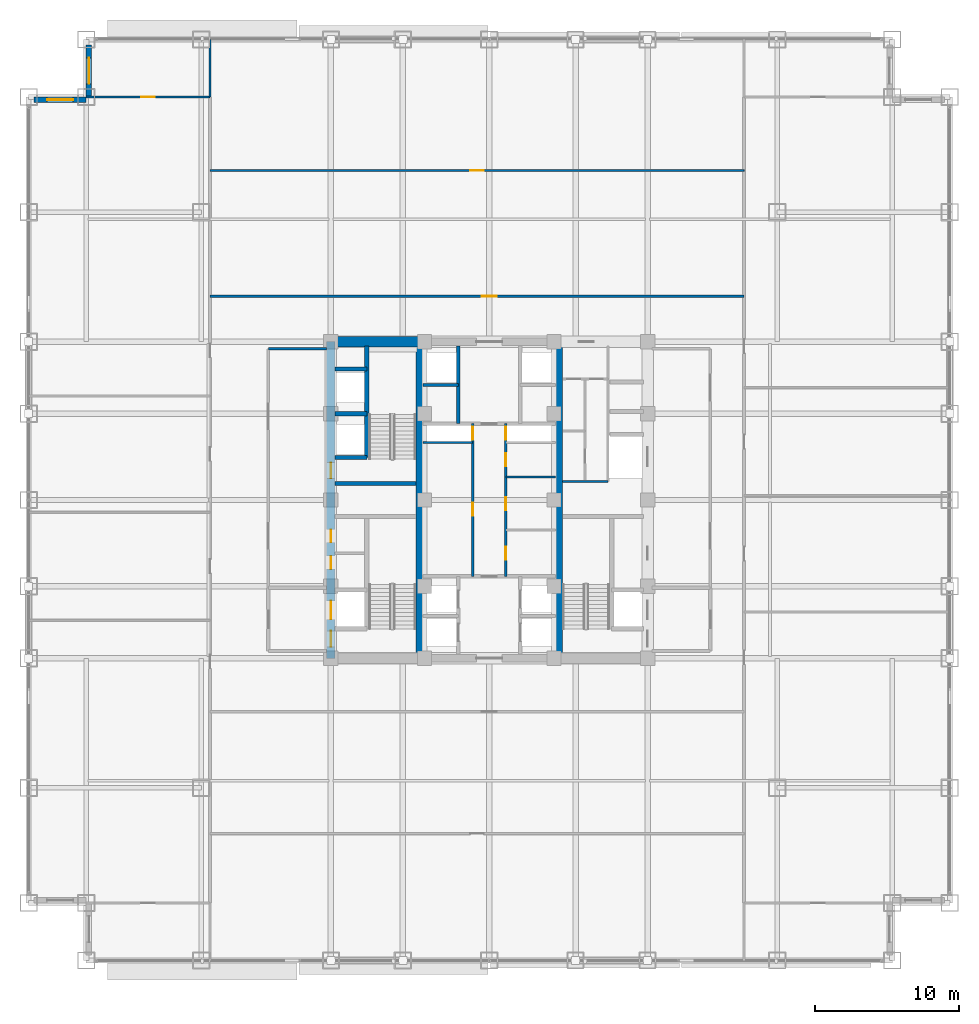
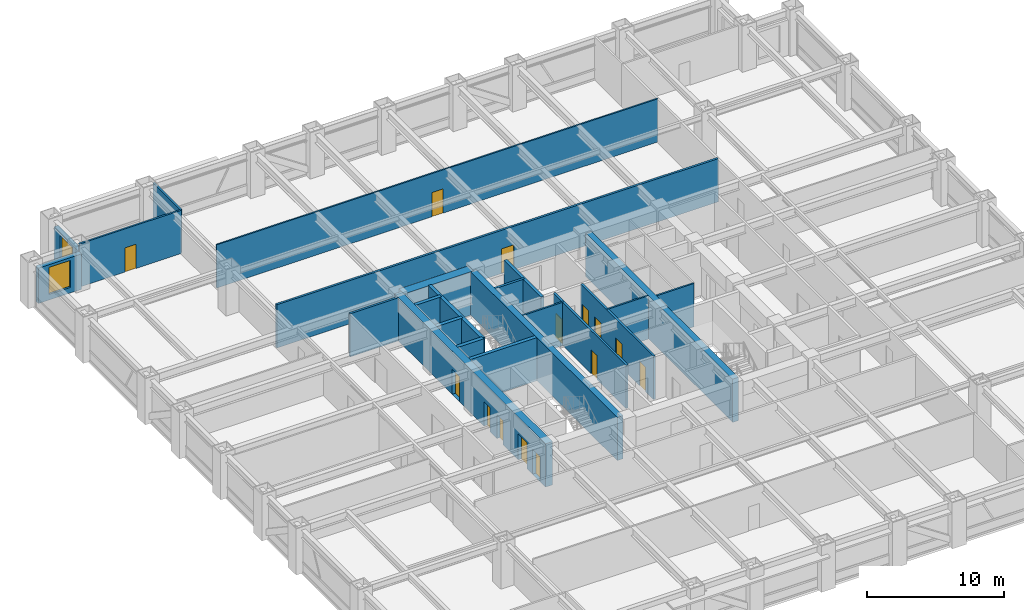
# One storey, part 25 of 32: 23 walls, 14 doors, 2 windows, 16 openings.
"""IFC4 building model written with IfcOpenShell, lengths in metres."""

from ifc_helpers import new_model, si_unit, direction, frame, frame_2d, origin, place, context, subcontext, project, spatial, rectangle, extrude, source, transform, mapped, material, layer, layer_set, type_object, element, fill, save


model = new_model("IFC4")

# Units and contexts
model_context = context("Model", 3, precision=1e-05, world=origin(), true_north=direction((0.0, 1.0)))
body_context = subcontext(model_context, "Body", "Model", "MODEL_VIEW")
ifc_project = project(units=[si_unit("LENGTHUNIT", "METRE"), si_unit("AREAUNIT", "SQUARE_METRE"), si_unit("VOLUMEUNIT", "CUBIC_METRE"), si_unit("PLANEANGLEUNIT", "RADIAN"), si_unit("MASSUNIT", "GRAM", prefix="KILO")], contexts=[model_context])

# Site, building, storey
site_placement = place(None, origin())
site = spatial("IfcSite", under=ifc_project, at=site_placement, CompositionType="ELEMENT")
building_placement = place(site_placement, origin())
building = spatial("IfcBuilding", under=site, at=building_placement, Name="Khorayat Bourse Tower", CompositionType="ELEMENT")
storey_placement = place(building_placement, frame((0.0, 0.0, 99.60009765625)))
storey = spatial("IfcBuildingStorey", under=building, at=storey_placement, Name="L22", CompositionType="ELEMENT", Elevation=99.60009765625)

# Wall, openings, doors
ifc_material_1 = material(Name="Concrete C60/75", Category="concrete")
ifc_layer_1 = layer(ifc_material_1, 0.60009765625)
ifc_layer_set_1 = layer_set([ifc_layer_1], Name="Concrete C60/75")
wall_type_1 = type_object("IfcWallType", Name="WAL-CORE-600", PredefinedType="SHEAR", material=ifc_layer_set_1)
shared_shape_1 = source(origin(), body_context, "Body", "SweptSolid", [
    extrude(rectangle(XDim=22.0, YDim=0.60009765625, at=frame_2d((11.0, 0.0))), origin(), (0.0, 0.0, 1.0), 3.83984375),
])
wall_1_placement = place(storey_placement, frame((-11.0, -11.0, 0.0), z_axis=(0.0, 0.0, 1.0), x_axis=(0.0, 1.0, 0.0)))
wall_1 = element("IfcWall", 1, at=wall_1_placement, inside=storey, type_object=wall_type_1, Name="L22 Core Shear Wall CORE-W", PredefinedType="SHEAR", context=body_context, shape_type="MappedRepresentation", body=[
    mapped(shared_shape_1, transform((0.0, 0.0, 0.0), scale=1.0)),
])
shared_shape_2 = source(origin(), body_context, "Body", "SweptSolid", [
    extrude(rectangle(XDim=1.10009765625, YDim=2.199951171875, at=frame_2d((0.550048828125, 1.10009765625))), frame((0.0, 0.31005859375, 0.0), z_axis=(0.0, -1.0, 0.0), x_axis=(1.0, 0.0, 0.0)), (0.0, 0.0, 1.0), 0.6201171875),
])
opening_1_placement = place(wall_1_placement, frame((0.800048828125, 0.0, 0.0)))
opening_1 = element("IfcOpeningElement", 2, at=opening_1_placement, cuts=wall_1, Name="Opening DI-01", PredefinedType="OPENING", context=body_context, shape_type="MappedRepresentation", body=[
    mapped(shared_shape_2, transform((0.0, 0.0, 0.0), scale=1.0)),
])
opening_2_placement = place(wall_1_placement, frame((12.5, 0.0, 0.0)))
opening_2 = element("IfcOpeningElement", 3, at=opening_2_placement, cuts=wall_1, Name="Opening DI-01", PredefinedType="OPENING", context=body_context, shape_type="MappedRepresentation", body=[
    mapped(shared_shape_2, transform((0.0, 0.0, 0.0), scale=1.0)),
])
shared_shape_3 = source(origin(), body_context, "Body", "SweptSolid", [
    extrude(rectangle(XDim=0.89990234375, YDim=2.14990234375, at=frame_2d((0.449951171875, 1.074951171875))), frame((0.0, 0.31005859375, 0.0), z_axis=(0.0, -1.0, 0.0), x_axis=(1.0, 0.0, 0.0)), (0.0, 0.0, 1.0), 0.6201171875),
])
opening_3_placement = place(wall_1_placement, frame((6.199951171875, 0.0, 0.0)))
opening_3 = element("IfcOpeningElement", 4, at=opening_3_placement, cuts=wall_1, Name="Opening DI-06", PredefinedType="OPENING", context=body_context, shape_type="MappedRepresentation", body=[
    mapped(shared_shape_3, transform((0.0, 0.0, 0.0), scale=1.0)),
])
opening_4_placement = place(wall_1_placement, frame((8.050048828125, 0.0, 0.0)))
opening_4 = element("IfcOpeningElement", 5, at=opening_4_placement, cuts=wall_1, Name="Opening DI-06", PredefinedType="OPENING", context=body_context, shape_type="MappedRepresentation", body=[
    mapped(shared_shape_3, transform((0.0, 0.0, 0.0), scale=1.0)),
])
shared_shape_4 = source(origin(), body_context, "Body", "SweptSolid", [
    extrude(rectangle(XDim=1.300048828125, YDim=2.300048828125, at=frame_2d((0.64990234375, 1.14990234375))), frame((0.0, 0.31005859375, 0.0), z_axis=(0.0, -1.0, 0.0), x_axis=(1.0, 0.0, 0.0)), (0.0, 0.0, 1.0), 0.6201171875),
])
opening_5_placement = place(wall_1_placement, frame((2.699951171875, 0.0, 0.0)))
opening_5 = element("IfcOpeningElement", 6, at=opening_5_placement, cuts=wall_1, Name="Opening LD-02", PredefinedType="OPENING", context=body_context, shape_type="MappedRepresentation", body=[
    mapped(shared_shape_4, transform((0.0, 0.0, 0.0), scale=1.0)),
])
ifc_material_2 = material(Name="Fire-rated steel acoustic leaf", Category="steel")
door_type_1 = type_object("IfcDoorType", Name="DR-INT-STAIR-1100", OperationType="NOTDEFINED", PredefinedType="DOOR", material=ifc_material_2)
shared_shape_5 = source(origin(), body_context, "Body", "SweptSolid", [
    extrude(rectangle(XDim=1.10009765625, YDim=2.199951171875, at=frame_2d((0.550048828125, 1.10009765625))), frame((0.0, 0.02490234375, 0.0), z_axis=(0.0, -1.0, 0.0), x_axis=(1.0, 0.0, 0.0)), (0.0, 0.0, 1.0), 0.050048828125),
])
door_1_placement = place(opening_1_placement, origin())
door_1 = element("IfcDoor", 7, at=door_1_placement, inside=storey, type_object=door_type_1, Name="L22 Exit Stair 1 Door", OperationType="SINGLE_SWING_RIGHT", OverallHeight=2.199951171875, OverallWidth=1.10009765625, PredefinedType="DOOR", context=body_context, shape_type="MappedRepresentation", body=[
    mapped(shared_shape_5, transform((0.0, 0.0, 0.0), scale=1.0)),
])
fill(opening_1, door_1)
door_2_placement = place(opening_2_placement, origin())
door_2 = element("IfcDoor", 8, at=door_2_placement, inside=storey, type_object=door_type_1, Name="L22 Exit Stair 2 Door", OperationType="SINGLE_SWING_RIGHT", OverallHeight=2.199951171875, OverallWidth=1.10009765625, PredefinedType="DOOR", context=body_context, shape_type="MappedRepresentation", body=[
    mapped(shared_shape_5, transform((0.0, 0.0, 0.0), scale=1.0)),
])
fill(opening_2, door_2)
ifc_material_3 = material(Name="Moisture-resistant laminate washroom door")
door_type_2 = type_object("IfcDoorType", Name="DR-INT-WC-900", OperationType="NOTDEFINED", PredefinedType="DOOR", material=ifc_material_3)
shared_shape_6 = source(origin(), body_context, "Body", "SweptSolid", [
    extrude(rectangle(XDim=0.89990234375, YDim=2.14990234375, at=frame_2d((0.449951171875, 1.074951171875))), frame((0.0, 0.02490234375, 0.0), z_axis=(0.0, -1.0, 0.0), x_axis=(1.0, 0.0, 0.0)), (0.0, 0.0, 1.0), 0.050048828125),
])
door_3_placement = place(opening_3_placement, origin())
door_3 = element("IfcDoor", 9, at=door_3_placement, inside=storey, type_object=door_type_2, Name="L22 Electrical Plant Room Door", OperationType="SINGLE_SWING_RIGHT", OverallHeight=2.14990234375, OverallWidth=0.89990234375, PredefinedType="DOOR", context=body_context, shape_type="MappedRepresentation", body=[
    mapped(shared_shape_6, transform((0.0, 0.0, 0.0), scale=1.0)),
])
fill(opening_3, door_3)
door_4_placement = place(opening_4_placement, origin())
door_4 = element("IfcDoor", 10, at=door_4_placement, inside=storey, type_object=door_type_2, Name="L22 Cleaner Storage Room Door", OperationType="SINGLE_SWING_LEFT", OverallHeight=2.14990234375, OverallWidth=0.89990234375, PredefinedType="DOOR", context=body_context, shape_type="MappedRepresentation", body=[
    mapped(shared_shape_6, transform((0.0, 0.0, 0.0), scale=1.0)),
])
fill(opening_4, door_4)
ifc_material_4 = material(Name="Fire-rated stainless-steel sliding landing door", Category="steel")
door_type_3 = type_object("IfcDoorType", Name="DR-LIFT-FF-1300", OperationType="NOTDEFINED", PredefinedType="DOOR", material=ifc_material_4)
shared_shape_7 = source(origin(), body_context, "Body", "SweptSolid", [
    extrude(rectangle(XDim=1.300048828125, YDim=2.300048828125, at=frame_2d((0.64990234375, 1.14990234375))), frame((0.0, 0.02490234375, 0.0), z_axis=(0.0, -1.0, 0.0), x_axis=(1.0, 0.0, 0.0)), (0.0, 0.0, 1.0), 0.050048828125),
])
door_5_placement = place(opening_5_placement, origin())
door_5 = element("IfcDoor", 11, at=door_5_placement, inside=storey, type_object=door_type_3, Name="L22 Lift FFL-01 Sliding Landing Door", OperationType="SLIDING_TO_LEFT", OverallHeight=2.300048828125, OverallWidth=1.300048828125, PredefinedType="DOOR", context=body_context, shape_type="MappedRepresentation", body=[
    mapped(shared_shape_7, transform((0.0, 0.0, 0.0), scale=1.0)),
])
fill(opening_5, door_5)

# Walls
ifc_material_5 = material(Name="Concrete C52/65", Category="concrete")
ifc_layer_2 = layer(ifc_material_5, 0.5)
ifc_layer_set_2 = layer_set([ifc_layer_2], Name="Concrete C52/65")
wall_type_2 = type_object("IfcWallType", Name="WAL-CORE-500", PredefinedType="SHEAR", material=ifc_layer_set_2)
shared_shape_8 = source(origin(), body_context, "Body", "SweptSolid", [
    extrude(rectangle(XDim=21.39990234375, YDim=0.5, at=frame_2d((10.699951171875, 0.0))), origin(), (0.0, 0.0, 1.0), 3.83984375),
])
for number, where, z_axis, x_axis, name in (
    (12, (-4.85009765625, -10.699951171875, 0.0), (0.0, 0.0, 1.0), (0.0, 1.0, 0.0), "L22 Core Shear Wall PIER-W"),
    (13, (4.85009765625, -10.699951171875, 0.0), (0.0, 0.0, 1.0), (0.0, 1.0, 0.0), "L22 Core Shear Wall PIER-E"),
):
    element("IfcWall", number, at=place(storey_placement, frame(where, z_axis=z_axis, x_axis=x_axis)), inside=storey, type_object=wall_type_2, Name=name, PredefinedType="SHEAR", context=body_context, shape_type="MappedRepresentation", body=[
        mapped(shared_shape_8, transform((0.0, 0.0, 0.0), scale=1.0)),
    ])
ifc_material_6 = material(Name="Concrete C72/90", Category="concrete")
ifc_layer_3 = layer(ifc_material_6, 0.75)
ifc_layer_set_3 = layer_set([ifc_layer_3], Name="Concrete C72/90")
wall_type_3 = type_object("IfcWallType", Name="WAL-CORE-750", PredefinedType="SHEAR", material=ifc_layer_set_3)
shared_shape_9 = source(origin(), body_context, "Body", "SweptSolid", [
    extrude(rectangle(XDim=5.849853515625, YDim=0.75, at=frame_2d((2.9248046875, 0.0))), origin(), (0.0, 0.0, 1.0), 3.83984375),
])
wall_2_placement = place(storey_placement, frame((-10.699951171875, 11.0, 0.0), z_axis=(0.0, 0.0, 1.0), x_axis=(1.0, 0.0, 0.0)))
element("IfcWall", 14, at=wall_2_placement, inside=storey, type_object=wall_type_3, Name="L22 Core Shear Wall PIER-WN", PredefinedType="SHEAR", context=body_context, shape_type="MappedRepresentation", body=[
    mapped(shared_shape_9, transform((0.0, 0.0, 0.0), scale=1.0)),
])
ifc_material_7 = material(Name="Concrete C50/60", Category="concrete")
ifc_layer_4 = layer(ifc_material_7, 0.300048828125)
ifc_layer_set_4 = layer_set([ifc_layer_4], Name="Concrete C50/60")
wall_type_4 = type_object("IfcWallType", Name="WAL-SHAFT-300", PredefinedType="SHEAR", material=ifc_layer_set_4)
shared_shape_10 = source(origin(), body_context, "Body", "SweptSolid", [
    extrude(rectangle(XDim=5.599853515625, YDim=0.300048828125, at=frame_2d((2.7998046875, 0.0))), origin(), (0.0, 0.0, 1.0), 3.83984375),
])
wall_3_placement = place(storey_placement, frame((-10.699951171875, 1.14990234375, 0.0), z_axis=(0.0, 0.0, 1.0), x_axis=(1.0, 0.0, 0.0)))
element("IfcWall", 15, at=wall_3_placement, inside=storey, type_object=wall_type_4, Name="L22 Core Shear Wall ST2-DIV", PredefinedType="SHEAR", context=body_context, shape_type="MappedRepresentation", body=[
    mapped(shared_shape_10, transform((0.0, 0.0, 0.0), scale=1.0)),
])

# Wall, opening, window
ifc_material_8 = material(Name="Precast concrete C45/55", Category="concrete")
ifc_layer_5 = layer(ifc_material_8, 0.3798828125)
ifc_layer_set_5 = layer_set([ifc_layer_5], Name="Precast concrete C45/55")
wall_type_5 = type_object("IfcWallType", Name="WAL-EXT-STONE-380", PredefinedType="STANDARD", material=ifc_layer_set_5)
shared_shape_11 = source(origin(), body_context, "Body", "SweptSolid", [
    extrude(rectangle(XDim=3.6201171875, YDim=0.3798828125, at=frame_2d((1.81005859375, 0.0))), origin(), (0.0, 0.0, 1.0), 3.14501953125),
])
wall_4_placement = place(storey_placement, frame((-27.81005859375, 28.0, 0.0), z_axis=(0.0, 0.0, 1.0), x_axis=(0.0, 1.0, 0.0)))
wall_4 = element("IfcWall", 16, at=wall_4_placement, inside=storey, type_object=wall_type_5, Name="L22 Re-Entrant Notch Limestone Wall NW-V", PredefinedType="STANDARD", context=body_context, shape_type="MappedRepresentation", body=[
    mapped(shared_shape_11, transform((0.0, 0.0, 0.0), scale=1.0)),
])
shared_shape_12 = source(origin(), body_context, "Body", "SweptSolid", [
    extrude(rectangle(XDim=1.800048828125, YDim=2.39990234375, at=frame_2d((0.89990234375, 1.199951171875))), frame((0.0, 0.199951171875, 0.0), z_axis=(0.0, -1.0, 0.0), x_axis=(1.0, 0.0, 0.0)), (0.0, 0.0, 1.0), 0.39990234375),
])
opening_6_placement = place(wall_4_placement, frame((0.909912109375, 0.0, 0.5)))
opening_6 = element("IfcOpeningElement", 17, at=opening_6_placement, cuts=wall_4, Name="Opening WN-04", PredefinedType="OPENING", context=body_context, shape_type="MappedRepresentation", body=[
    mapped(shared_shape_12, transform((0.0, 0.0, 0.0), scale=1.0)),
])
ifc_material_9 = material(Name="Low-E acoustic laminated double glazing", Category="glass")
window_type = type_object("IfcWindowType", Name="WIN-NOTCH-1800x2400", PartitioningType="SINGLE_PANEL", PredefinedType="WINDOW", material=ifc_material_9)
shared_shape_13 = source(origin(), body_context, "Body", "SweptSolid", [
    extrude(rectangle(XDim=1.800048828125, YDim=2.39990234375, at=frame_2d((0.89990234375, 1.199951171875))), frame((0.0, 0.030029296875, 0.0), z_axis=(0.0, -1.0, 0.0), x_axis=(1.0, 0.0, 0.0)), (0.0, 0.0, 1.0), 0.06005859375),
])
window_1_placement = place(opening_6_placement, origin())
window_1 = element("IfcWindow", 18, at=window_1_placement, inside=storey, type_object=window_type, Name="L22 Facade Window 1", OverallHeight=2.39990234375, OverallWidth=1.800048828125, PartitioningType="SINGLE_PANEL", PredefinedType="WINDOW", context=body_context, shape_type="MappedRepresentation", body=[
    mapped(shared_shape_13, transform((0.0, 0.0, 0.0), scale=1.0)),
])
fill(opening_6, window_1)

wall_5_placement = place(storey_placement, frame((-28.0, 27.81005859375, 0.0), z_axis=(0.0, 0.0, 1.0), x_axis=(-1.0, 0.0, 0.0)))
wall_5 = element("IfcWall", 19, at=wall_5_placement, inside=storey, type_object=wall_type_5, Name="L22 Re-Entrant Notch Limestone Wall NW-H", PredefinedType="STANDARD", context=body_context, shape_type="MappedRepresentation", body=[
    mapped(shared_shape_11, transform((0.0, 0.0, 0.0), scale=1.0)),
])
opening_7_placement = place(wall_5_placement, frame((0.909912109375, 0.0, 0.5)))
opening_7 = element("IfcOpeningElement", 20, at=opening_7_placement, cuts=wall_5, Name="Opening WN-04", PredefinedType="OPENING", context=body_context, shape_type="MappedRepresentation", body=[
    mapped(shared_shape_12, transform((0.0, 0.0, 0.0), scale=1.0)),
])
window_2_placement = place(opening_7_placement, origin())
window_2 = element("IfcWindow", 21, at=window_2_placement, inside=storey, type_object=window_type, Name="L22 Facade Window 1", OverallHeight=2.39990234375, OverallWidth=1.800048828125, PartitioningType="SINGLE_PANEL", PredefinedType="WINDOW", context=body_context, shape_type="MappedRepresentation", body=[
    mapped(shared_shape_13, transform((0.0, 0.0, 0.0), scale=1.0)),
])
fill(opening_7, window_2)

# Walls
shared_shape_14 = source(origin(), body_context, "Body", "SweptSolid", [
    extrude(rectangle(XDim=2.199951171875, YDim=0.300048828125, at=frame_2d((1.10009765625, 0.0))), origin(), (0.0, 0.0, 1.0), 3.83984375),
])
for number, where, z_axis, x_axis, name in (
    (22, (-10.699951171875, 2.949951171875, 0.0), (0.0, 0.0, 1.0), (1.0, 0.0, 0.0), "L22 Partition WAL-L22-WPIER-H1S"),
    (23, (-10.699951171875, 6.0, 0.0), (0.0, 0.0, 1.0), (1.0, 0.0, 0.0), "L22 Partition WAL-L22-WPIER-H12"),
    (24, (-10.699951171875, 9.10009765625, 0.0), (0.0, 0.0, 1.0), (1.0, 0.0, 0.0), "L22 Partition WAL-L22-WPIER-H2N"),
):
    element("IfcWall", number, at=place(storey_placement, frame(where, z_axis=z_axis, x_axis=x_axis)), inside=storey, type_object=wall_type_4, Name=name, PredefinedType="SHEAR", context=body_context, shape_type="MappedRepresentation", body=[
        mapped(shared_shape_14, transform((0.0, 0.0, 0.0), scale=1.0)),
    ])
shared_shape_15 = source(origin(), body_context, "Body", "SweptSolid", [
    extrude(rectangle(XDim=7.75, YDim=0.300048828125, at=frame_2d((3.875, 0.0))), origin(), (0.0, 0.0, 1.0), 3.83984375),
])
wall_6_placement = place(storey_placement, frame((-8.5, 2.949951171875, 0.0), z_axis=(0.0, 0.0, 1.0), x_axis=(0.0, 1.0, 0.0)))
element("IfcWall", 25, at=wall_6_placement, inside=storey, type_object=wall_type_4, Name="L22 Partition WAL-L22-WPIER-ST2S", PredefinedType="SHEAR", context=body_context, shape_type="MappedRepresentation", body=[
    mapped(shared_shape_15, transform((0.0, 0.0, 0.0), scale=1.0)),
])
ifc_material_10 = material(Name="Moisture-resistant masonry partition", Category="masonry")
ifc_layer_6 = layer(ifc_material_10, 0.139892578125)
ifc_layer_set_6 = layer_set([ifc_layer_6], Name="Moisture-resistant masonry partition")
wall_type_6 = type_object("IfcWallType", Name="WAL-PART-WET-140", PredefinedType="PARTITIONING", material=ifc_layer_set_6)
shared_shape_16 = source(origin(), body_context, "Body", "SweptSolid", [
    extrude(rectangle(XDim=3.14990234375, YDim=0.139892578125, at=frame_2d((1.574951171875, 0.0))), origin(), (0.0, 0.0, 1.0), 3.83984375),
])
wall_7_placement = place(storey_placement, frame((5.10009765625, 1.300048828125, 0.0), z_axis=(0.0, 0.0, 1.0), x_axis=(1.0, 0.0, 0.0)))
element("IfcWall", 26, at=wall_7_placement, inside=storey, type_object=wall_type_6, Name="L22 Partition WAL-L22-ECORE-S", PredefinedType="PARTITIONING", context=body_context, shape_type="MappedRepresentation", body=[
    mapped(shared_shape_16, transform((0.0, 0.0, 0.0), scale=1.0)),
])
ifc_material_11 = material(Name="Gypsum plasterboard acoustic stud wall")
ifc_layer_7 = layer(ifc_material_11, 0.179931640625)
ifc_layer_set_7 = layer_set([ifc_layer_7], Name="Gypsum plasterboard acoustic stud wall")
wall_type_7 = type_object("IfcWallType", Name="WAL-PART-CORR-180", PredefinedType="PARTITIONING", material=ifc_layer_set_7)
shared_shape_17 = source(origin(), body_context, "Body", "SweptSolid", [
    extrude(rectangle(XDim=4.050048828125, YDim=0.179931640625, at=frame_2d((2.02490234375, 0.0))), origin(), (0.0, 0.0, 1.0), 3.83984375),
])
wall_8_placement = place(storey_placement, frame((-15.35009765625, 10.5, 0.0), z_axis=(0.0, 0.0, 1.0), x_axis=(1.0, 0.0, 0.0)))
element("IfcWall", 27, at=wall_8_placement, inside=storey, type_object=wall_type_7, Name="L22 Partition WAL-L22-WLOB-N", PredefinedType="PARTITIONING", context=body_context, shape_type="MappedRepresentation", body=[
    mapped(shared_shape_17, transform((0.0, 0.0, 0.0), scale=1.0)),
])
ifc_material_12 = material(Name="Gypsum plasterboard twin-frame partition")
ifc_layer_8 = layer(ifc_material_12, 0.14990234375)
ifc_layer_set_8 = layer_set([ifc_layer_8], Name="Gypsum plasterboard twin-frame partition")
wall_type_8 = type_object("IfcWallType", Name="WAL-PART-SUITE-150", PredefinedType="PARTITIONING", material=ifc_layer_set_8)
shared_shape_18 = source(origin(), body_context, "Body", "SweptSolid", [
    extrude(rectangle(XDim=3.4501953125, YDim=0.14990234375, at=frame_2d((1.72509765625, 0.0))), origin(), (0.0, 0.0, 1.0), 3.83984375),
])
wall_9_placement = place(storey_placement, frame((-4.60009765625, 4.0, 0.0), z_axis=(0.0, 0.0, 1.0), x_axis=(1.0, 0.0, 0.0)))
element("IfcWall", 28, at=wall_9_placement, inside=storey, type_object=wall_type_8, Name="L22 Partition WAL-L22-CRSW-S", PredefinedType="PARTITIONING", context=body_context, shape_type="MappedRepresentation", body=[
    mapped(shared_shape_18, transform((0.0, 0.0, 0.0), scale=1.0)),
])
shared_shape_19 = source(origin(), body_context, "Body", "SweptSolid", [
    extrude(rectangle(XDim=5.39990234375, YDim=0.25, at=frame_2d((2.699951171875, 0.0))), origin(), (0.0, 0.0, 1.0), 3.83984375),
])
wall_10_placement = place(storey_placement, frame((-2.14990234375, 5.300048828125, 0.0), z_axis=(0.0, 0.0, 1.0), x_axis=(0.0, 1.0, 0.0)))
element("IfcWall", 29, at=wall_10_placement, inside=storey, type_object=wall_type_4, Name="L22 Partition WAL-L22-B2-W", PredefinedType="SHEAR", context=body_context, shape_type="MappedRepresentation", body=[
    mapped(shared_shape_19, transform((0.0, 0.0, 0.0), scale=1.0)),
])
shared_shape_20 = source(origin(), body_context, "Body", "SweptSolid", [
    extrude(rectangle(XDim=2.4501953125, YDim=0.199951171875, at=frame_2d((1.22509765625, 0.0))), origin(), (0.0, 0.0, 1.0), 3.83984375),
])
wall_11_placement = place(storey_placement, frame((-4.60009765625, 8.0, 0.0), z_axis=(0.0, 0.0, 1.0), x_axis=(1.0, 0.0, 0.0)))
element("IfcWall", 30, at=wall_11_placement, inside=storey, type_object=wall_type_4, Name="L22 Partition WAL-L22-B2-MW", PredefinedType="SHEAR", context=body_context, shape_type="MappedRepresentation", body=[
    mapped(shared_shape_20, transform((0.0, 0.0, 0.0), scale=1.0)),
])

# Wall, openings, doors
shared_shape_21 = source(origin(), body_context, "Body", "SweptSolid", [
    extrude(rectangle(XDim=10.60009765625, YDim=0.179931640625, at=frame_2d((5.300048828125, 0.0))), origin(), (0.0, 0.0, 1.0), 3.83984375),
])
wall_12_placement = place(storey_placement, frame((-1.14990234375, -5.300048828125, 0.0), z_axis=(0.0, 0.0, 1.0), x_axis=(0.0, 1.0, 0.0)))
wall_12 = element("IfcWall", 31, at=wall_12_placement, inside=storey, type_object=wall_type_7, Name="L22 Partition WAL-L22-CMW-L", PredefinedType="PARTITIONING", context=body_context, shape_type="MappedRepresentation", body=[
    mapped(shared_shape_21, transform((0.0, 0.0, 0.0), scale=1.0)),
])
shared_shape_22 = source(origin(), body_context, "Body", "SweptSolid", [
    extrude(rectangle(XDim=0.89990234375, YDim=2.14990234375, at=frame_2d((0.449951171875, 1.074951171875))), frame((0.0, 0.099853515625, 0.0), z_axis=(0.0, -1.0, 0.0), x_axis=(1.0, 0.0, 0.0)), (0.0, 0.0, 1.0), 0.199951171875),
])
opening_8_placement = place(wall_12_placement, frame((4.199951171875, 0.0, 0.0)))
opening_8 = element("IfcOpeningElement", 32, at=opening_8_placement, cuts=wall_12, Name="Opening DI-06", PredefinedType="OPENING", context=body_context, shape_type="MappedRepresentation", body=[
    mapped(shared_shape_22, transform((0.0, 0.0, 0.0), scale=1.0)),
])
opening_9_placement = place(wall_12_placement, frame((9.47509765625, 0.0, 0.0)))
opening_9 = element("IfcOpeningElement", 33, at=opening_9_placement, cuts=wall_12, Name="Opening DI-06", PredefinedType="OPENING", context=body_context, shape_type="MappedRepresentation", body=[
    mapped(shared_shape_22, transform((0.0, 0.0, 0.0), scale=1.0)),
])
door_6_placement = place(opening_8_placement, origin())
door_6 = element("IfcDoor", 34, at=door_6_placement, inside=storey, type_object=door_type_2, Name="L22 Male Core Washroom Door", OperationType="SINGLE_SWING_RIGHT", OverallHeight=2.14990234375, OverallWidth=0.89990234375, PredefinedType="DOOR", context=body_context, shape_type="MappedRepresentation", body=[
    mapped(shared_shape_6, transform((0.0, 0.0, 0.0), scale=1.0)),
])
fill(opening_8, door_6)
door_7_placement = place(opening_9_placement, origin())
door_7 = element("IfcDoor", 35, at=door_7_placement, inside=storey, type_object=door_type_2, Name="L22 West Core Riser Door", OperationType="SINGLE_SWING_LEFT", OverallHeight=2.14990234375, OverallWidth=0.89990234375, PredefinedType="DOOR", context=body_context, shape_type="MappedRepresentation", body=[
    mapped(shared_shape_6, transform((0.0, 0.0, 0.0), scale=1.0)),
])
fill(opening_9, door_7)

wall_13_placement = place(storey_placement, frame((1.14990234375, -5.300048828125, 0.0), z_axis=(0.0, 0.0, 1.0), x_axis=(0.0, 1.0, 0.0)))
wall_13 = element("IfcWall", 36, at=wall_13_placement, inside=storey, type_object=wall_type_7, Name="L22 Partition WAL-L22-CME-L", PredefinedType="PARTITIONING", context=body_context, shape_type="MappedRepresentation", body=[
    mapped(shared_shape_21, transform((0.0, 0.0, 0.0), scale=1.0)),
])
opening_10_placement = place(wall_13_placement, frame((1.14990234375, 0.0, 0.0)))
opening_10 = element("IfcOpeningElement", 37, at=opening_10_placement, cuts=wall_13, Name="Opening DI-06", PredefinedType="OPENING", context=body_context, shape_type="MappedRepresentation", body=[
    mapped(shared_shape_22, transform((0.0, 0.0, 0.0), scale=1.0)),
])
opening_11_placement = place(wall_13_placement, frame((4.60009765625, 0.0, 0.0)))
opening_11 = element("IfcOpeningElement", 38, at=opening_11_placement, cuts=wall_13, Name="Opening DI-06", PredefinedType="OPENING", context=body_context, shape_type="MappedRepresentation", body=[
    mapped(shared_shape_22, transform((0.0, 0.0, 0.0), scale=1.0)),
])
opening_12_placement = place(wall_13_placement, frame((7.64990234375, 0.0, 0.0)))
opening_12 = element("IfcOpeningElement", 39, at=opening_12_placement, cuts=wall_13, Name="Opening DI-06", PredefinedType="OPENING", context=body_context, shape_type="MappedRepresentation", body=[
    mapped(shared_shape_22, transform((0.0, 0.0, 0.0), scale=1.0)),
])
opening_13_placement = place(wall_13_placement, frame((9.47509765625, 0.0, 0.0)))
opening_13 = element("IfcOpeningElement", 40, at=opening_13_placement, cuts=wall_13, Name="Opening DI-06", PredefinedType="OPENING", context=body_context, shape_type="MappedRepresentation", body=[
    mapped(shared_shape_22, transform((0.0, 0.0, 0.0), scale=1.0)),
])
door_8_placement = place(opening_10_placement, origin())
door_8 = element("IfcDoor", 41, at=door_8_placement, inside=storey, type_object=door_type_2, Name="L22 Female Core Washroom Door", OperationType="SINGLE_SWING_RIGHT", OverallHeight=2.14990234375, OverallWidth=0.89990234375, PredefinedType="DOOR", context=body_context, shape_type="MappedRepresentation", body=[
    mapped(shared_shape_6, transform((0.0, 0.0, 0.0), scale=1.0)),
])
fill(opening_10, door_8)
door_9_placement = place(opening_11_placement, origin())
door_9 = element("IfcDoor", 42, at=door_9_placement, inside=storey, type_object=door_type_2, Name="L22 Cleaners Store Door", OperationType="SINGLE_SWING_LEFT", OverallHeight=2.14990234375, OverallWidth=0.89990234375, PredefinedType="DOOR", context=body_context, shape_type="MappedRepresentation", body=[
    mapped(shared_shape_6, transform((0.0, 0.0, 0.0), scale=1.0)),
])
fill(opening_11, door_9)
door_10_placement = place(opening_12_placement, origin())
door_10 = element("IfcDoor", 43, at=door_10_placement, inside=storey, type_object=door_type_2, Name="L22 Meter and BMS Plant Room Door", OperationType="SINGLE_SWING_RIGHT", OverallHeight=2.14990234375, OverallWidth=0.89990234375, PredefinedType="DOOR", context=body_context, shape_type="MappedRepresentation", body=[
    mapped(shared_shape_6, transform((0.0, 0.0, 0.0), scale=1.0)),
])
fill(opening_12, door_10)
door_11_placement = place(opening_13_placement, origin())
door_11 = element("IfcDoor", 44, at=door_11_placement, inside=storey, type_object=door_type_2, Name="L22 East Core Riser Door", OperationType="SINGLE_SWING_RIGHT", OverallHeight=2.14990234375, OverallWidth=0.89990234375, PredefinedType="DOOR", context=body_context, shape_type="MappedRepresentation", body=[
    mapped(shared_shape_6, transform((0.0, 0.0, 0.0), scale=1.0)),
])
fill(opening_13, door_11)

# Wall
shared_shape_23 = source(origin(), body_context, "Body", "SweptSolid", [
    extrude(rectangle(XDim=3.4501953125, YDim=0.139892578125, at=frame_2d((1.72509765625, 0.0))), origin(), (0.0, 0.0, 1.0), 3.83984375),
])
wall_14_placement = place(storey_placement, frame((1.14990234375, 1.60009765625, 0.0), z_axis=(0.0, 0.0, 1.0), x_axis=(1.0, 0.0, 0.0)))
element("IfcWall", 45, at=wall_14_placement, inside=storey, type_object=wall_type_6, Name="L22 Partition WAL-L22-CME-D2", PredefinedType="PARTITIONING", context=body_context, shape_type="MappedRepresentation", body=[
    mapped(shared_shape_23, transform((0.0, 0.0, 0.0), scale=1.0)),
])

# Wall, opening, door
ifc_material_13 = material(Name="Gypsum plasterboard partition")
ifc_layer_9 = layer(ifc_material_13, 0.125)
ifc_layer_set_9 = layer_set([ifc_layer_9], Name="Gypsum plasterboard partition")
wall_type_9 = type_object("IfcWallType", Name="WAL-PART-ROOM-125", PredefinedType="PARTITIONING", material=ifc_layer_set_9)
shared_shape_24 = source(origin(), body_context, "Body", "SweptSolid", [
    extrude(rectangle(XDim=37.099853515625, YDim=0.125, at=frame_2d((18.5498046875, 0.0))), origin(), (0.0, 0.0, 1.0), 3.83984375),
])
wall_15_placement = place(storey_placement, frame((-19.39990234375, 22.896484375, 0.0), z_axis=(0.0, 0.0, 1.0), x_axis=(1.0, 0.0, 0.0)))
wall_15 = element("IfcWall", 46, at=wall_15_placement, inside=storey, type_object=wall_type_9, Name="L22 Partition WAL-L22-NDP-1", PredefinedType="PARTITIONING", context=body_context, shape_type="MappedRepresentation", body=[
    mapped(shared_shape_24, transform((0.0, 0.0, 0.0), scale=1.0)),
])
shared_shape_25 = source(origin(), body_context, "Body", "SweptSolid", [
    extrude(rectangle(XDim=0.949951171875, YDim=2.14990234375, at=frame_2d((0.47509765625, 1.074951171875))), frame((0.0, 0.072509765625, 0.0), z_axis=(0.0, -1.0, 0.0), x_axis=(1.0, 0.0, 0.0)), (0.0, 0.0, 1.0), 0.14501953125),
])
opening_14_placement = place(wall_15_placement, frame((18.074951171875, 0.0, 0.0)))
opening_14 = element("IfcOpeningElement", 47, at=opening_14_placement, cuts=wall_15, Name="Opening DI-05", PredefinedType="OPENING", context=body_context, shape_type="MappedRepresentation", body=[
    mapped(shared_shape_25, transform((0.0, 0.0, 0.0), scale=1.0)),
])
ifc_material_14 = material(Name="Acoustic oak veneer office door")
door_type_4 = type_object("IfcDoorType", Name="DR-INT-OFFICE-950", OperationType="NOTDEFINED", PredefinedType="DOOR", material=ifc_material_14)
shared_shape_26 = source(origin(), body_context, "Body", "SweptSolid", [
    extrude(rectangle(XDim=0.949951171875, YDim=2.14990234375, at=frame_2d((0.47509765625, 1.074951171875))), frame((0.0, 0.02490234375, 0.0), z_axis=(0.0, -1.0, 0.0), x_axis=(1.0, 0.0, 0.0)), (0.0, 0.0, 1.0), 0.050048828125),
])
door_12_placement = place(opening_14_placement, origin())
door_12 = element("IfcDoor", 48, at=door_12_placement, inside=storey, type_object=door_type_4, Name="L22 Members Exchange Lounge N1B Door", OperationType="SINGLE_SWING_RIGHT", OverallHeight=2.14990234375, OverallWidth=0.949951171875, PredefinedType="DOOR", context=body_context, shape_type="MappedRepresentation", body=[
    mapped(shared_shape_26, transform((0.0, 0.0, 0.0), scale=1.0)),
])
fill(opening_14, door_12)

shared_shape_27 = source(origin(), body_context, "Body", "SweptSolid", [
    extrude(rectangle(XDim=37.099853515625, YDim=0.179931640625, at=frame_2d((18.5498046875, 0.0))), origin(), (0.0, 0.0, 1.0), 3.83984375),
])
wall_16_placement = place(storey_placement, frame((-19.39990234375, 14.14990234375, 0.0), z_axis=(0.0, 0.0, 1.0), x_axis=(1.0, 0.0, 0.0)))
wall_16 = element("IfcWall", 49, at=wall_16_placement, inside=storey, type_object=wall_type_7, Name="L22 Partition WAL-L22-NCORR", PredefinedType="PARTITIONING", context=body_context, shape_type="MappedRepresentation", body=[
    mapped(shared_shape_27, transform((0.0, 0.0, 0.0), scale=1.0)),
])
shared_shape_28 = source(origin(), body_context, "Body", "SweptSolid", [
    extrude(rectangle(XDim=1.050048828125, YDim=2.199951171875, at=frame_2d((0.52490234375, 1.10009765625))), frame((0.0, 0.099853515625, 0.0), z_axis=(0.0, -1.0, 0.0), x_axis=(1.0, 0.0, 0.0)), (0.0, 0.0, 1.0), 0.199951171875),
])
opening_15_placement = place(wall_16_placement, frame((18.875, 0.0, 0.0)))
opening_15 = element("IfcOpeningElement", 50, at=opening_15_placement, cuts=wall_16, Name="Opening DI-04", PredefinedType="OPENING", context=body_context, shape_type="MappedRepresentation", body=[
    mapped(shared_shape_28, transform((0.0, 0.0, 0.0), scale=1.0)),
])
ifc_material_15 = material(Name="Fire-rated oak veneer suite entrance door")
door_type_5 = type_object("IfcDoorType", Name="DR-INT-SUITE-1050", OperationType="NOTDEFINED", PredefinedType="DOOR", material=ifc_material_15)
shared_shape_29 = source(origin(), body_context, "Body", "SweptSolid", [
    extrude(rectangle(XDim=1.050048828125, YDim=2.199951171875, at=frame_2d((0.52490234375, 1.10009765625))), frame((0.0, 0.02490234375, 0.0), z_axis=(0.0, -1.0, 0.0), x_axis=(1.0, 0.0, 0.0)), (0.0, 0.0, 1.0), 0.050048828125),
])
door_13_placement = place(opening_15_placement, origin())
door_13 = element("IfcDoor", 51, at=door_13_placement, inside=storey, type_object=door_type_5, Name="L22 Executive Wellness Fitness Gym N1 Door", OperationType="SINGLE_SWING_RIGHT", OverallHeight=2.199951171875, OverallWidth=1.050048828125, PredefinedType="DOOR", context=body_context, shape_type="MappedRepresentation", body=[
    mapped(shared_shape_29, transform((0.0, 0.0, 0.0), scale=1.0)),
])
fill(opening_15, door_13)

# Wall
shared_shape_30 = source(origin(), body_context, "Body", "SweptSolid", [
    extrude(rectangle(XDim=4.0, YDim=0.14990234375, at=frame_2d((2.0, 0.0))), origin(), (0.0, 0.0, 1.0), 3.83984375),
])
wall_17_placement = place(storey_placement, frame((-19.39990234375, 28.0, 0.0), z_axis=(0.0, 0.0, 1.0), x_axis=(0.0, 1.0, 0.0)))
element("IfcWall", 52, at=wall_17_placement, inside=storey, type_object=wall_type_8, Name="L22 Partition WAL-L22-NCW-END", PredefinedType="PARTITIONING", context=body_context, shape_type="MappedRepresentation", body=[
    mapped(shared_shape_30, transform((0.0, 0.0, 0.0), scale=1.0)),
])

# Wall, opening, door
shared_shape_31 = source(origin(), body_context, "Body", "SweptSolid", [
    extrude(rectangle(XDim=8.60009765625, YDim=0.14990234375, at=frame_2d((4.300048828125, 0.0))), origin(), (0.0, 0.0, 1.0), 3.83984375),
])
wall_18_placement = place(storey_placement, frame((-28.0, 28.0, 0.0), z_axis=(0.0, 0.0, 1.0), x_axis=(1.0, 0.0, 0.0)))
wall_18 = element("IfcWall", 53, at=wall_18_placement, inside=storey, type_object=wall_type_8, Name="L22 Partition WAL-L22-CNW", PredefinedType="PARTITIONING", context=body_context, shape_type="MappedRepresentation", body=[
    mapped(shared_shape_31, transform((0.0, 0.0, 0.0), scale=1.0)),
])
shared_shape_32 = source(origin(), body_context, "Body", "SweptSolid", [
    extrude(rectangle(XDim=0.949951171875, YDim=2.14990234375, at=frame_2d((0.47509765625, 1.074951171875))), frame((0.0, 0.0849609375, 0.0), z_axis=(0.0, -1.0, 0.0), x_axis=(1.0, 0.0, 0.0)), (0.0, 0.0, 1.0), 0.169921875),
])
opening_16_placement = place(wall_18_placement, frame((3.824951171875, 0.0, 0.0)))
opening_16 = element("IfcOpeningElement", 54, at=opening_16_placement, cuts=wall_18, Name="Opening DI-05", PredefinedType="OPENING", context=body_context, shape_type="MappedRepresentation", body=[
    mapped(shared_shape_32, transform((0.0, 0.0, 0.0), scale=1.0)),
])
door_14_placement = place(opening_16_placement, origin())
door_14 = element("IfcDoor", 55, at=door_14_placement, inside=storey, type_object=door_type_4, Name="L22 North-West Corner Meeting Room Door", OperationType="SINGLE_SWING_LEFT", OverallHeight=2.14990234375, OverallWidth=0.949951171875, PredefinedType="DOOR", context=body_context, shape_type="MappedRepresentation", body=[
    mapped(shared_shape_26, transform((0.0, 0.0, 0.0), scale=1.0)),
])
fill(opening_16, door_14)

save(model, "model.ifc")
